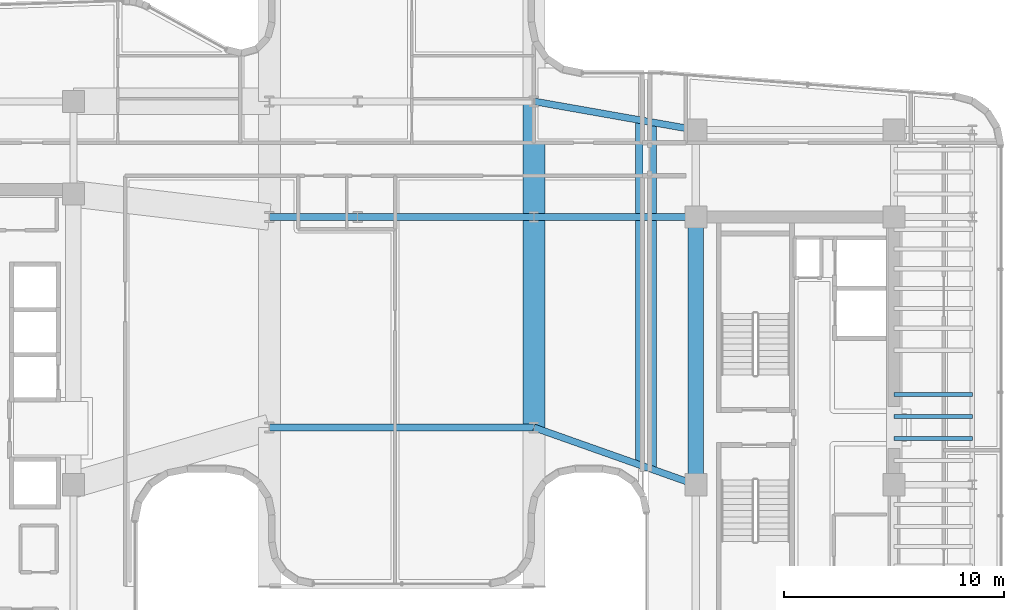
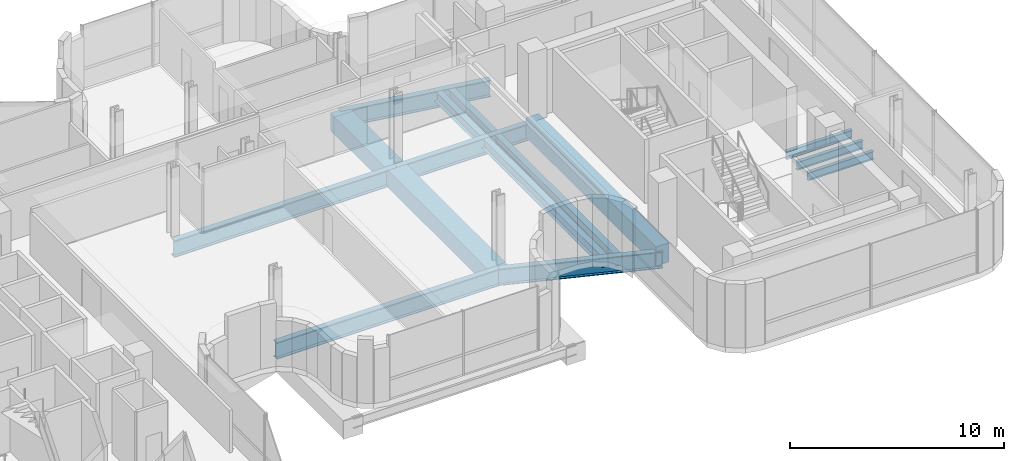
# One storey, part 13 of 38: 12 beams.
"""IFC4 building model written with IfcOpenShell, lengths in metres."""

from ifc_helpers import new_model, si_unit, direction, frame, origin, origin_2d, place, context, subcontext, project, spatial, rectangle, hollow_rectangle, i_section, extrude, source, transform, mapped, material, material_profile, profile_set, type_object, element, save


model = new_model("IFC4")

# Units and contexts
model_context = context("Model", 3, precision=1e-05, world=origin(), true_north=direction((0.0, 1.0)))
body_context = subcontext(model_context, "Body", "Model", "MODEL_VIEW")
ifc_project = project(units=[si_unit("LENGTHUNIT", "METRE"), si_unit("AREAUNIT", "SQUARE_METRE"), si_unit("VOLUMEUNIT", "CUBIC_METRE"), si_unit("PLANEANGLEUNIT", "RADIAN"), si_unit("MASSUNIT", "GRAM", prefix="KILO")], contexts=[model_context])

# Site, building, storey
site_placement = place(None, origin())
site = spatial("IfcSite", under=ifc_project, at=site_placement, CompositionType="ELEMENT")
building_placement = place(site_placement, origin())
building = spatial("IfcBuilding", under=site, at=building_placement, Name="Valdorenza Pilgrim Sanctuary Tower", CompositionType="ELEMENT")
storey_placement = place(building_placement, frame((0.0, 0.0, 180.5)))
storey = spatial("IfcBuildingStorey", under=building, at=storey_placement, Name="L46", CompositionType="ELEMENT", Elevation=180.5)

# Beams
ifc_material_1 = material(Name="Concrete C50/60", Category="concrete")
ifc_material_profile_1 = material_profile(ifc_material_1, rectangle(XDim=0.699951171875, YDim=1.10009765625, at=origin_2d()), Name="RC 1100x700")
ifc_profile_set_1 = profile_set([ifc_material_profile_1], Name="Concrete C50/60")
beam_type_1 = type_object("IfcBeamType", Name="STR-BM-LNT-1100", PredefinedType="LINTEL", material=ifc_profile_set_1)
shared_shape_1 = source(origin(), body_context, "Body", "SweptSolid", [
    extrude(rectangle(XDim=0.699951171875, YDim=1.10009765625, at=origin_2d()), origin(), (0.0, 0.0, 1.0), 12.150146484375),
])
beam_1_placement = place(storey_placement, frame((15.85009765625, -2.60009765625, -0.590087890625), z_axis=(0.0, 1.0, 0.0), x_axis=(-1.0, 0.0, 0.0)))
element("IfcBeam", 1, at=beam_1_placement, inside=storey, type_object=beam_type_1, Name="L46 Core B West Coupling Lintel Girder", PredefinedType="LINTEL", context=body_context, shape_type="MappedRepresentation", body=[
    mapped(shared_shape_1, transform((0.0, 0.0, 0.0), x_axis=(1.0, 0.0, 0.0), y_axis=(0.0, 1.0, 0.0), z_axis=(0.0, 0.0, 1.0), scale=1.0)),
])
ifc_material_2 = material(Name="Steel ASTM A992 Grade 50", Category="steel")
ifc_material_profile_2 = material_profile(ifc_material_2, i_section(OverallWidth=0.19091796875, OverallDepth=0.45703125, WebThickness=0.009033203125, FlangeThickness=0.014404296875, at=origin_2d()), Name="W18X50")
ifc_profile_set_2 = profile_set([ifc_material_profile_2], Name="Steel ASTM A992 Grade 50")
beam_type_2 = type_object("IfcBeamType", Name="STR-BM-JST-W18B", PredefinedType="JOIST", material=ifc_profile_set_2)
shared_shape_2 = source(origin(), body_context, "Body", "SweptSolid", [
    extrude(i_section(OverallWidth=0.19091796875, OverallDepth=0.45703125, WebThickness=0.009033203125, FlangeThickness=0.014404296875, at=origin_2d()), origin(), (0.0, 0.0, 1.0), 3.5498046875),
])
for number, where, z_axis, x_axis, name in (
    (2, (24.85009765625, -0.5, -0.548583984375), (1.0, 0.0, 0.0), (0.0, 1.0, 0.0), "L46 Composite Floor Joist JST-WB-9"),
    (3, (24.85009765625, 0.5, -0.548583984375), (1.0, 0.0, 0.0), (0.0, 1.0, 0.0), "L46 Composite Floor Joist JST-WB-10"),
    (4, (24.85009765625, 1.5, -0.548583984375), (1.0, 0.0, 0.0), (0.0, 1.0, 0.0), "L46 Composite Floor Joist JST-WB-11"),
):
    element("IfcBeam", number, at=place(storey_placement, frame(where, z_axis=z_axis, x_axis=x_axis)), inside=storey, type_object=beam_type_2, Name=name, PredefinedType="JOIST", context=body_context, shape_type="MappedRepresentation", body=[
        mapped(shared_shape_2, transform((0.0, 0.0, 0.0), x_axis=(1.0, 0.0, 0.0), y_axis=(0.0, 1.0, 0.0), z_axis=(0.0, 0.0, 1.0), scale=1.0)),
    ])
ifc_material_profile_3 = material_profile(ifc_material_2, i_section(OverallWidth=0.323974609375, OverallDepth=0.611083984375, WebThickness=0.0126953125, FlangeThickness=0.01904296875, at=origin_2d()), Name="W24X104")
ifc_profile_set_3 = profile_set([ifc_material_profile_3], Name="Steel ASTM A992 Grade 50")
beam_type_3 = type_object("IfcBeamType", Name="STR-BM-GRD-W24B", PredefinedType="BEAM", material=ifc_profile_set_3)
shared_shape_3 = source(origin(), body_context, "Body", "SweptSolid", [
    extrude(i_section(OverallWidth=0.323974609375, OverallDepth=0.611083984375, WebThickness=0.0126953125, FlangeThickness=0.01904296875, at=origin_2d()), origin(), (0.0, 0.0, 1.0), 15.639892578125),
])
beam_2_placement = place(storey_placement, frame((13.280029296875, -1.68994140625, -0.62548828125), z_axis=(0.0, 1.0, 0.0), x_axis=(-1.0, 0.0, 0.0)))
element("IfcBeam", 5, at=beam_2_placement, inside=storey, type_object=beam_type_3, Name="L46 Bridge Joint Edge Header PRY-JNT-W", PredefinedType="BEAM", context=body_context, shape_type="MappedRepresentation", body=[
    mapped(shared_shape_3, transform((0.0, 0.0, 0.0), x_axis=(1.0, 0.0, 0.0), y_axis=(0.0, 1.0, 0.0), z_axis=(0.0, 0.0, 1.0), scale=1.0)),
])
shared_shape_4 = source(origin(), body_context, "Body", "SweptSolid", [
    extrude(i_section(OverallWidth=0.323974609375, OverallDepth=0.611083984375, WebThickness=0.0126953125, FlangeThickness=0.01904296875, at=origin_2d()), origin(), (0.0, 0.0, 1.0), 15.75),
])
beam_3_placement = place(storey_placement, frame((13.89990234375, -1.909912109375, -0.62548828125), z_axis=(0.0, 1.0, 0.0), x_axis=(-1.0, 0.0, 0.0)))
element("IfcBeam", 6, at=beam_3_placement, inside=storey, type_object=beam_type_3, Name="L46 Wing B Joint Edge Header PRY-JNT-E", PredefinedType="BEAM", context=body_context, shape_type="MappedRepresentation", body=[
    mapped(shared_shape_4, transform((0.0, 0.0, 0.0), x_axis=(1.0, 0.0, 0.0), y_axis=(0.0, 1.0, 0.0), z_axis=(0.0, 0.0, 1.0), scale=1.0)),
])
ifc_material_3 = material(Name="Steel ASTM A572 Grade 42", Category="steel")
ifc_material_profile_4 = material_profile(ifc_material_3, hollow_rectangle(XDim=1.0, YDim=1.0, WallThickness=0.080078125, at=origin_2d()), Name="BOX 1000x1000x80")
ifc_profile_set_4 = profile_set([ifc_material_profile_4], Name="Steel ASTM A572 Grade 42")
beam_type_4 = type_object("IfcBeamType", Name="STR-BM-PROW-CANT", PredefinedType="BEAM", material=ifc_profile_set_4)
shared_shape_5 = source(origin(), body_context, "Body", "SweptSolid", [
    extrude(hollow_rectangle(XDim=1.0, YDim=1.0, WallThickness=0.080078125, at=origin_2d()), origin(), (0.0, 0.0, 1.0), 14.800048828125),
])
beam_4_placement = place(storey_placement, frame((8.5, 0.0, -0.820068359375), z_axis=(0.0, 1.0, 0.0), x_axis=(-1.0, 0.0, 0.0)))
element("IfcBeam", 7, at=beam_4_placement, inside=storey, type_object=beam_type_4, Name="L46 Sanctuary Backspan Girder PROW-BACK-N-E", PredefinedType="BEAM", context=body_context, shape_type="MappedRepresentation", body=[
    mapped(shared_shape_5, transform((0.0, 0.0, 0.0), x_axis=(1.0, 0.0, 0.0), y_axis=(0.0, 1.0, 0.0), z_axis=(0.0, 0.0, 1.0), scale=1.0)),
])
ifc_material_profile_5 = material_profile(ifc_material_2, i_section(OverallWidth=0.31005859375, OverallDepth=0.949951171875, WebThickness=0.0244140625, FlangeThickness=0.0439453125, at=origin_2d()), Name="W36X256")
ifc_profile_set_5 = profile_set([ifc_material_profile_5], Name="Steel ASTM A992 Grade 50")
beam_type_5 = type_object("IfcBeamType", Name="STR-BM-GRD-W36B", PredefinedType="BEAM", material=ifc_profile_set_5)
shared_shape_6 = source(origin(), body_context, "Body", "SweptSolid", [
    extrude(i_section(OverallWidth=0.31005859375, OverallDepth=0.949951171875, WebThickness=0.0244140625, FlangeThickness=0.0439453125, at=origin_2d()), origin(), (0.0, 0.0, 1.0), 12.0),
])
for number, where, z_axis, x_axis, name in (
    (8, (-3.5, 0.0, -0.794921875), (1.0, 0.0, 0.0), (0.0, 1.0, 0.0), "L46 Portal Bridge Span Girder PRY-G2-P0"),
    (9, (-3.5, 9.550048828125, -0.794921875), (1.0, 0.0, 0.0), (0.0, 1.0, 0.0), "L46 Portal Bridge Span Girder PRY-G2-P9"),
):
    element("IfcBeam", number, at=place(storey_placement, frame(where, z_axis=z_axis, x_axis=x_axis)), inside=storey, type_object=beam_type_5, Name=name, PredefinedType="BEAM", context=body_context, shape_type="MappedRepresentation", body=[
        mapped(shared_shape_6, transform((0.0, 0.0, 0.0), x_axis=(1.0, 0.0, 0.0), y_axis=(0.0, 1.0, 0.0), z_axis=(0.0, 0.0, 1.0), scale=1.0)),
    ])
shared_shape_7 = source(origin(), body_context, "Body", "SweptSolid", [
    extrude(i_section(OverallWidth=0.31005859375, OverallDepth=0.949951171875, WebThickness=0.0244140625, FlangeThickness=0.0439453125, at=origin_2d()), origin(), (0.0, 0.0, 1.0), 7.79638671875),
])
beam_5_placement = place(storey_placement, frame((8.5, 0.0, -0.794921875), z_axis=(0.942750751534, -0.333498156641, 0.0), x_axis=(0.333498156641, 0.942750751534, 0.0)))
element("IfcBeam", 10, at=beam_5_placement, inside=storey, type_object=beam_type_5, Name="L46 Portal Bridge East Seat Girder PRY-G3-P0", PredefinedType="BEAM", context=body_context, shape_type="MappedRepresentation", body=[
    mapped(shared_shape_7, transform((0.0, 0.0, 0.0), x_axis=(1.0, 0.0, 0.0), y_axis=(0.0, 1.0, 0.0), z_axis=(0.0, 0.0, 1.0), scale=1.0)),
])
shared_shape_8 = source(origin(), body_context, "Body", "SweptSolid", [
    extrude(i_section(OverallWidth=0.31005859375, OverallDepth=0.949951171875, WebThickness=0.0244140625, FlangeThickness=0.0439453125, at=origin_2d()), origin(), (0.0, 0.0, 1.0), 7.35009765625),
])
beam_6_placement = place(storey_placement, frame((8.5, 9.550048828125, -0.794921875), z_axis=(1.0, 0.0, 0.0), x_axis=(0.0, 1.0, 0.0)))
element("IfcBeam", 11, at=beam_6_placement, inside=storey, type_object=beam_type_5, Name="L46 Portal Bridge East Seat Girder PRY-G3-P9", PredefinedType="BEAM", context=body_context, shape_type="MappedRepresentation", body=[
    mapped(shared_shape_8, transform((0.0, 0.0, 0.0), x_axis=(1.0, 0.0, 0.0), y_axis=(0.0, 1.0, 0.0), z_axis=(0.0, 0.0, 1.0), scale=1.0)),
])
shared_shape_9 = source(origin(), body_context, "Body", "SweptSolid", [
    extrude(i_section(OverallWidth=0.31005859375, OverallDepth=0.949951171875, WebThickness=0.0244140625, FlangeThickness=0.0439453125, at=origin_2d()), origin(), (0.0, 0.0, 1.0), 7.464111328125),
])
beam_7_placement = place(storey_placement, frame((8.5, 14.800048828125, -0.794921875), z_axis=(0.984715322541, -0.17417156356, 0.0), x_axis=(0.17417156356, 0.984715322541, 0.0)))
element("IfcBeam", 12, at=beam_7_placement, inside=storey, type_object=beam_type_5, Name="L46 Portal Bridge East Seat Girder PRY-G3-P14", PredefinedType="BEAM", context=body_context, shape_type="MappedRepresentation", body=[
    mapped(shared_shape_9, transform((0.0, 0.0, 0.0), x_axis=(1.0, 0.0, 0.0), y_axis=(0.0, 1.0, 0.0), z_axis=(0.0, 0.0, 1.0), scale=1.0)),
])

save(model, "model.ifc")
